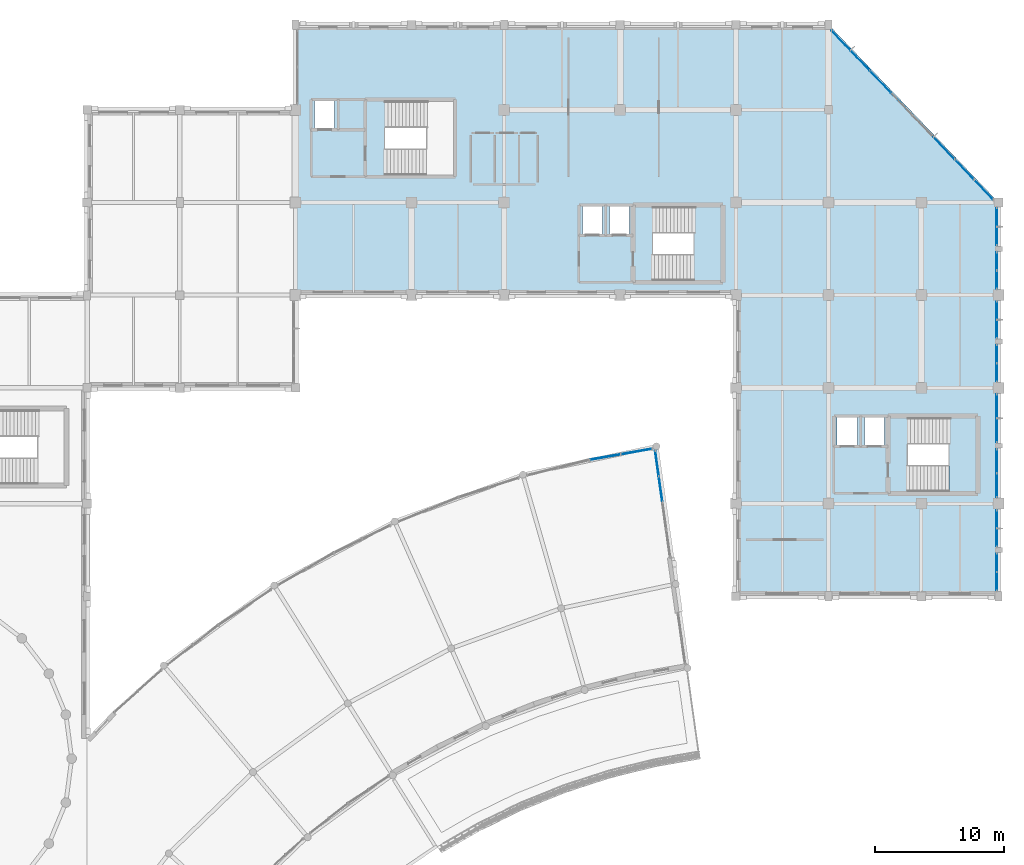
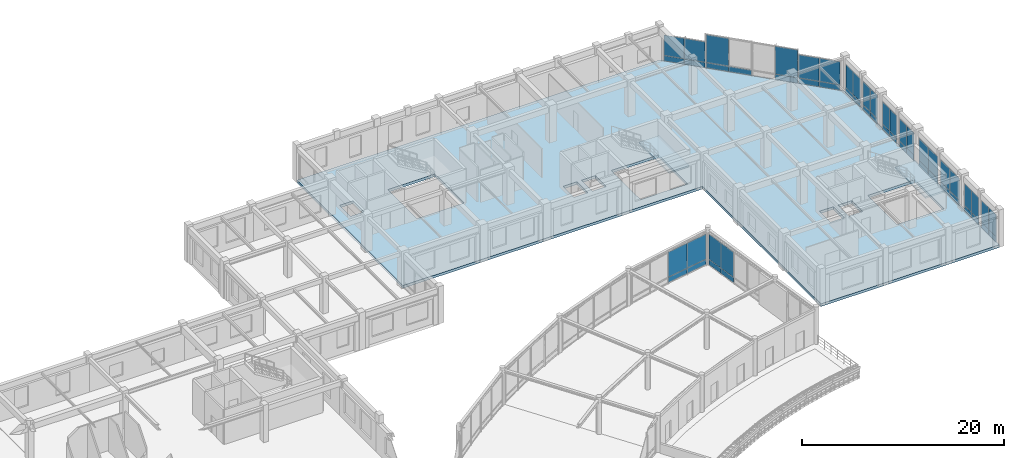
# One storey, part 34 of 62: 53 plates, 3 slabs, 16 elements without a shape of their own.
"""IFC4 building model written with IfcOpenShell, lengths in metres."""

import ifcopenshell
import ifcopenshell.guid

model = None  # the IFC model being written
_history = None  # IfcOwnerHistory: only IFC2X3 demands one
_inside = {}  # id of a spatial element -> (the spatial element, [elements in it])
_under = {}  # id of a project, library or spatial element -> (it, [spatial elements below it])
_declared = {}  # id of a project -> (the project, [libraries it declares])
_typed = {}  # id of a type object -> (the type object, [elements of that type])
_made_of = {}  # id of a material, layer set ... -> (it, [elements and type objects made of it])


def new_model(schema):
    """Start an empty IFC model of exactly this schema.

    Asked for "IFC4X3", IfcOpenShell would pick the latest addendum, in which some entities
    have other attributes; the version numbers below select the first issue.
    IFC2X3 requires an IfcOwnerHistory on every rooted entity: one is made here for all.
    """
    global model, _history
    if schema == "IFC4X3":
        model = ifcopenshell.file(schema_version=(4, 3, 0, 0))
    else:
        model = ifcopenshell.file(schema=schema)
    _inside.clear()
    _under.clear()
    _declared.clear()
    _typed.clear()
    _made_of.clear()
    _history = None
    if model.schema == "IFC2X3":
        org = make("IfcOrganization", Name="unknown")
        user = make(
            "IfcPersonAndOrganization",
            ThePerson=make("IfcPerson", FamilyName="unknown"),
            TheOrganization=org,
        )
        app = make(
            "IfcApplication",
            ApplicationDeveloper=org,
            Version="unknown",
            ApplicationFullName="unknown",
            ApplicationIdentifier="unknown",
        )
        _history = make(
            "IfcOwnerHistory",
            OwningUser=user,
            OwningApplication=app,
            ChangeAction="ADDED",
            CreationDate=0,
        )
    return model


def make(cls, **values):
    """One entity of the class cls with the attributes given. An attribute that is None is left unset."""
    return model.create_entity(
        cls, **{name: value for name, value in values.items() if value is not None}
    )


def rooted(cls, **values):
    """An entity with a GlobalId (a new one), such as an element, a storey or a relation."""
    return make(cls, GlobalId=ifcopenshell.guid.new(), OwnerHistory=_history, **values)


def si_unit(unit_type, name, prefix=None):
    """IfcSIUnit, for example si_unit("LENGTHUNIT", "METRE", prefix="MILLI")."""
    return make("IfcSIUnit", UnitType=unit_type, Prefix=prefix, Name=name)


def assignment(units):
    """IfcUnitAssignment: the units of a project."""
    return None if units is None else make("IfcUnitAssignment", Units=units)


def point(xyz):
    """IfcCartesianPoint."""
    return None if xyz is None else make("IfcCartesianPoint", Coordinates=xyz)


def direction(xyz):
    """IfcDirection."""
    return None if xyz is None else make("IfcDirection", DirectionRatios=xyz)


def frame(location, z_axis=None, x_axis=None):
    """IfcAxis2Placement3D, a coordinate frame: its origin and axes. An axis left out is left unset."""
    return make(
        "IfcAxis2Placement3D",
        Location=point(location),
        Axis=direction(z_axis),
        RefDirection=direction(x_axis),
    )


def frame_2d(location, x_axis=None):
    """IfcAxis2Placement2D, a coordinate frame in the plane: its origin and x axis."""
    return make(
        "IfcAxis2Placement2D", Location=point(location), RefDirection=direction(x_axis)
    )


def origin():
    """The frame at (0, 0, 0) with its axes left unset."""
    return frame((0.0, 0.0, 0.0))


def place(relative_to, where):
    """IfcLocalPlacement: puts the frame where relative to a parent placement (None: the world)."""
    return make(
        "IfcLocalPlacement", PlacementRelTo=relative_to, RelativePlacement=where
    )


def context(
    kind, dimensions, precision=None, world=None, true_north=None, identifier=None
):
    """IfcGeometricRepresentationContext, for example the 3D "Model" context."""
    return make(
        "IfcGeometricRepresentationContext",
        ContextIdentifier=identifier,
        ContextType=kind,
        CoordinateSpaceDimension=dimensions,
        Precision=precision,
        WorldCoordinateSystem=world,
        TrueNorth=true_north,
    )


def subcontext(parent, identifier, kind, view, scale=None):
    """IfcGeometricRepresentationSubContext, for example "Body" below "Model"."""
    return make(
        "IfcGeometricRepresentationSubContext",
        ContextIdentifier=identifier,
        ContextType=kind,
        ParentContext=parent,
        TargetScale=scale,
        TargetView=view,
    )


def project(units=None, contexts=None):
    """IfcProject with its units and contexts."""
    return rooted(
        "IfcProject",
        Name="project",
        RepresentationContexts=contexts,
        UnitsInContext=assignment(units),
    )


def spatial(cls, under=None, at=None, **own):
    """A site, building, storey or space (cls), placed at a placement, below another one or the project."""
    s = rooted(cls, ObjectPlacement=at, **own)
    if under is not None:
        _under.setdefault(under.id(), (under, []))[1].append(s)
    return s


def polyline(points):
    """IfcPolyline through the points."""
    return make("IfcPolyline", Points=[point(p) for p in points])


def profile(cls, at=None, kind="AREA", **sizes):
    """A parametric profile (cls). Its sizes go by their IFC names, for example OverallWidth=200.0."""
    return make(cls, ProfileType=kind, Position=at, **sizes)


def rectangle(**sizes):
    """IfcRectangleProfileDef."""
    return profile("IfcRectangleProfileDef", **sizes)


def outline(outer, holes=None, kind="AREA"):
    """IfcArbitraryClosedProfileDef: a profile drawn as a closed curve; with holes, ...WithVoids."""
    if holes is None:
        return make("IfcArbitraryClosedProfileDef", ProfileType=kind, OuterCurve=outer)
    return make(
        "IfcArbitraryProfileDefWithVoids",
        ProfileType=kind,
        OuterCurve=outer,
        InnerCurves=holes,
    )


def extrude(swept, where, along, depth):
    """IfcExtrudedAreaSolid: the profile swept, set in the frame where, extruded along a direction by depth."""
    return make(
        "IfcExtrudedAreaSolid",
        SweptArea=swept,
        Position=where,
        ExtrudedDirection=direction(along),
        Depth=depth,
    )


def shape(context_of_items, identifier, shape_type, items):
    """IfcShapeRepresentation: the items that make up one representation, for example the "Body"."""
    return make(
        "IfcShapeRepresentation",
        ContextOfItems=context_of_items,
        RepresentationIdentifier=identifier,
        RepresentationType=shape_type,
        Items=items,
    )


def material(Name=None, Category=None):
    """IfcMaterial."""
    return make("IfcMaterial", Name=Name, Category=Category)


def layer(
    of_material, thickness, ventilated=None, Name=None, Category=None, Priority=None
):
    """IfcMaterialLayer: one layer of a wall or slab, of a material (None: an air gap)."""
    return make(
        "IfcMaterialLayer",
        Material=of_material,
        LayerThickness=thickness,
        IsVentilated=ventilated,
        Name=Name,
        Category=Category,
        Priority=Priority,
    )


def layer_set(layers, Name=None):
    """IfcMaterialLayerSet."""
    return make("IfcMaterialLayerSet", MaterialLayers=layers, LayerSetName=Name)


def made_of(thing, what):
    """Note that an element or type object is made of a material, layer set ...; save() writes the relation."""
    if what is not None:
        _made_of.setdefault(what.id(), (what, []))[1].append(thing)
    return thing


def type_object(cls, material=None, **own):
    """A type object (cls), such as IfcWallType, which elements share."""
    return made_of(rooted(cls, **own), material)


def element(
    cls,
    number,
    at=None,
    inside=None,
    cuts=None,
    type_object=None,
    material=None,
    context=None,
    identifier="Body",
    shape_type=None,
    held_by="IfcProductDefinitionShape",
    body=None,
    shapes=None,
    **own,
):
    """One element of the class cls, such as IfcWall. Its Tag is "e" and its number.

    at: its placement. inside: the storey or other place that contains it. cuts: it is an
    opening in that element (IfcRelVoidsElement). A single representation is given by context,
    identifier, shape_type and body (its items); several are given by shapes. held_by: the class
    of the entity that holds the representations. save() writes the other relations.
    """
    e = rooted(cls, Tag="e%d" % number, ObjectPlacement=at, **own)
    if body is not None:
        shapes = [shape(context, identifier, shape_type, body)]
    if shapes is not None:
        e.Representation = make(held_by, Representations=shapes)
    if inside is not None:
        _inside.setdefault(inside.id(), (inside, []))[1].append(e)
    if cuts is not None:
        rooted(
            "IfcRelVoidsElement", RelatingBuildingElement=cuts, RelatedOpeningElement=e
        )
    if type_object is not None:
        _typed.setdefault(type_object.id(), (type_object, []))[1].append(e)
    return made_of(e, material)


def aggregate(whole, parts):
    """IfcRelAggregates: a whole, such as a stair, and the parts it consists of."""
    return rooted("IfcRelAggregates", RelatingObject=whole, RelatedObjects=parts)


def save(model, path):
    """Write the relations noted so far, then the file.

    IfcRelAggregates (storeys below a building ...), IfcRelContainedInSpatialStructure (elements
    in a storey), IfcRelDefinesByType, IfcRelAssociatesMaterial and IfcRelDeclares: one each for
    every whole, place, type object, material and project.
    """
    for whole, parts in _under.values():
        aggregate(whole, parts)
    for where, things in _inside.values():
        rooted(
            "IfcRelContainedInSpatialStructure",
            RelatedElements=things,
            RelatingStructure=where,
        )
    for kind, things in _typed.values():
        rooted("IfcRelDefinesByType", RelatedObjects=things, RelatingType=kind)
    for what, things in _made_of.values():
        rooted("IfcRelAssociatesMaterial", RelatedObjects=things, RelatingMaterial=what)
    for by, libraries in _declared.values():
        rooted("IfcRelDeclares", RelatingContext=by, RelatedDefinitions=libraries)
    model.write(path)


model = new_model("IFC4")

# Units and contexts
model_context = context("Model", 3, precision=1e-05, world=origin(), true_north=direction((0.0, 1.0)))
body_context = subcontext(model_context, "Body", "Model", "MODEL_VIEW")
ifc_project = project(units=[si_unit("LENGTHUNIT", "METRE"), si_unit("AREAUNIT", "SQUARE_METRE"), si_unit("VOLUMEUNIT", "CUBIC_METRE"), si_unit("PLANEANGLEUNIT", "RADIAN"), si_unit("MASSUNIT", "GRAM", prefix="KILO")], contexts=[model_context])

# Site, building, storey
site_placement = place(None, origin())
site = spatial("IfcSite", under=ifc_project, at=site_placement, CompositionType="ELEMENT")
building_placement = place(site_placement, origin())
building = spatial("IfcBuilding", under=site, at=building_placement, Name="Clarverna Civic Hall", CompositionType="ELEMENT")
storey_placement = place(building_placement, frame((0.0, 0.0, 5.10009765625)))
storey = spatial("IfcBuildingStorey", under=building, at=storey_placement, Name="L01", CompositionType="ELEMENT", Elevation=5.10009765625)

# Curtain wall, plates
ifc_material_1 = material(Name="Anodised Bronze Architectural Aluminium", Category="aluminium")
curtain_wall_type_1 = type_object("IfcCurtainWallType", Name="CW-01", PredefinedType="USERDEFINED", material=ifc_material_1)
curtain_wall_1_placement = place(storey_placement, origin())
curtain_wall_1 = element("IfcCurtainWall", 1, at=curtain_wall_1_placement, inside=storey, type_object=curtain_wall_type_1, Name="CW-01-002", ObjectType="UNITISED CURTAIN WALL", PredefinedType="USERDEFINED")
ifc_material_2 = material(Name="Solar-Control Argon Low-E Double Glazing", Category="glass")
ifc_layer_1 = layer(ifc_material_2, 0.031982421875)
ifc_layer_set_1 = layer_set([ifc_layer_1], Name="Solar-Control Argon Low-E Double Glazing")
plate_type_1 = type_object("IfcPlateType", Name="CWP-01", PredefinedType="CURTAIN_PANEL", material=ifc_layer_set_1)
plate_1_placement = place(storey_placement, frame((155.036376953125, 115.55029296875, 0.764892578125), z_axis=(0.0, 0.0, 1.0), x_axis=(0.691148870064, -0.722712418193, 0.0)))
plate_1 = element("IfcPlate", 2, at=plate_1_placement, type_object=plate_type_1, Name="CWP-01-105", PredefinedType="CURTAIN_PANEL", context=body_context, shape_type="SweptSolid", body=[
    extrude(rectangle(XDim=2.10400390625, YDim=0.031982421875, at=frame_2d((1.052001953125, 0.0))), origin(), (0.0, 0.0, 1.0), 2.445068359375),
])
plate_2_placement = place(storey_placement, frame((156.511474609375, 114.00830078125, 0.764892578125), z_axis=(0.0, 0.0, 1.0), x_axis=(0.691148870064, -0.722712418193, 0.0)))
plate_2 = element("IfcPlate", 3, at=plate_2_placement, type_object=plate_type_1, Name="CWP-01-106", PredefinedType="CURTAIN_PANEL", context=body_context, shape_type="SweptSolid", body=[
    extrude(rectangle(XDim=2.10400390625, YDim=0.031982421875, at=frame_2d((1.052001953125, 0.0))), origin(), (0.0, 0.0, 1.0), 2.445068359375),
])

# Curtain wall, plate
curtain_wall_2_placement = place(storey_placement, origin())
curtain_wall_2 = element("IfcCurtainWall", 4, at=curtain_wall_2_placement, inside=storey, type_object=curtain_wall_type_1, Name="CW-01-003", ObjectType="UNITISED CURTAIN WALL", PredefinedType="USERDEFINED")
plate_3_placement = place(storey_placement, frame((158.031982421875, 112.418701171875, 0.764892578125), z_axis=(0.0, 0.0, 1.0), x_axis=(0.691174945329, -0.722687480831, 0.0)))
plate_3 = element("IfcPlate", 5, at=plate_3_placement, type_object=plate_type_1, Name="CWP-01-107", PredefinedType="CURTAIN_PANEL", context=body_context, shape_type="SweptSolid", body=[
    extrude(rectangle(XDim=2.32421875, YDim=0.031982421875, at=frame_2d((1.162109375, 0.0))), origin(), (0.0, 0.0, 1.0), 3.344970703125),
])

curtain_wall_3_placement = place(storey_placement, origin())
curtain_wall_3 = element("IfcCurtainWall", 6, at=curtain_wall_3_placement, inside=storey, type_object=curtain_wall_type_1, Name="CW-01-004", ObjectType="UNITISED CURTAIN WALL", PredefinedType="USERDEFINED")
plate_4_placement = place(storey_placement, frame((162.959228515625, 107.267333984375, 0.764892578125), z_axis=(0.0, 0.0, 1.0), x_axis=(0.691227416228, -0.72263729426, 0.0)))
plate_4 = element("IfcPlate", 7, at=plate_4_placement, type_object=plate_type_1, Name="CWP-01-110", PredefinedType="CURTAIN_PANEL", context=body_context, shape_type="SweptSolid", body=[
    extrude(rectangle(XDim=2.323974609375, YDim=0.031982421875, at=frame_2d((1.162109375, 0.0))), origin(), (0.0, 0.0, 1.0), 3.344970703125),
])

# Curtain wall, plates
curtain_wall_4_placement = place(storey_placement, origin())
curtain_wall_4 = element("IfcCurtainWall", 8, at=curtain_wall_4_placement, inside=storey, type_object=curtain_wall_type_1, Name="CW-01-005", ObjectType="UNITISED CURTAIN WALL", PredefinedType="USERDEFINED")
plate_5_placement = place(storey_placement, frame((164.632080078125, 105.5185546875, 0.764892578125), z_axis=(0.0, 0.0, 1.0), x_axis=(0.691175471068, -0.722686978016, 0.0)))
plate_5 = element("IfcPlate", 9, at=plate_5_placement, type_object=plate_type_1, Name="CWP-01-111", PredefinedType="CURTAIN_PANEL", context=body_context, shape_type="SweptSolid", body=[
    extrude(rectangle(XDim=2.115234375, YDim=0.031982421875, at=frame_2d((1.0576171875, 0.0))), origin(), (0.0, 0.0, 1.0), 2.784912109375),
])
plate_6_placement = place(storey_placement, frame((166.11474609375, 103.96826171875, 0.764892578125), z_axis=(0.0, 0.0, 1.0), x_axis=(0.691235748538, -0.722629324027, 0.0)))
plate_6 = element("IfcPlate", 10, at=plate_6_placement, type_object=plate_type_1, Name="CWP-01-112", PredefinedType="CURTAIN_PANEL", context=body_context, shape_type="SweptSolid", body=[
    extrude(rectangle(XDim=2.115234375, YDim=0.031982421875, at=frame_2d((1.0576171875, 0.0))), origin(), (0.0, 0.0, 1.0), 2.784912109375),
])

curtain_wall_5_placement = place(storey_placement, origin())
curtain_wall_5 = element("IfcCurtainWall", 11, at=curtain_wall_5_placement, inside=storey, type_object=curtain_wall_type_1, Name="CW-01-006", ObjectType="UNITISED CURTAIN WALL", PredefinedType="USERDEFINED")
plate_7_placement = place(storey_placement, frame((167.860107421875, 101.761962890625, 0.764892578125), z_axis=(0.0, 0.0, 1.0), x_axis=(0.0, -1.0, 0.0)))
plate_7 = element("IfcPlate", 12, at=plate_7_placement, type_object=plate_type_1, Name="CWP-01-113", PredefinedType="CURTAIN_PANEL", context=body_context, shape_type="SweptSolid", body=[
    extrude(rectangle(XDim=1.427001953125, YDim=0.031982421875, at=frame_2d((0.71337890625, 0.0))), origin(), (0.0, 0.0, 1.0), 2.784912109375),
])
plate_8_placement = place(storey_placement, frame((167.860107421875, 100.304931640625, 0.764892578125), z_axis=(0.0, 0.0, 1.0), x_axis=(0.0, -1.0, 0.0)))
plate_8 = element("IfcPlate", 13, at=plate_8_placement, type_object=plate_type_1, Name="CWP-01-114", PredefinedType="CURTAIN_PANEL", context=body_context, shape_type="SweptSolid", body=[
    extrude(rectangle(XDim=1.427001953125, YDim=0.031982421875, at=frame_2d((0.71337890625, 0.0))), origin(), (0.0, 0.0, 1.0), 2.784912109375),
])

curtain_wall_6_placement = place(storey_placement, origin())
curtain_wall_6 = element("IfcCurtainWall", 14, at=curtain_wall_6_placement, inside=storey, type_object=curtain_wall_type_1, Name="CW-01-007", ObjectType="UNITISED CURTAIN WALL", PredefinedType="USERDEFINED")
plate_9_placement = place(storey_placement, frame((167.860107421875, 98.322021484375, 0.764892578125), z_axis=(0.0, 0.0, 1.0), x_axis=(0.0, -1.0, 0.0)))
plate_9 = element("IfcPlate", 15, at=plate_9_placement, type_object=plate_type_1, Name="CWP-01-115", PredefinedType="CURTAIN_PANEL", context=body_context, shape_type="SweptSolid", body=[
    extrude(rectangle(XDim=1.389404296875, YDim=0.031982421875, at=frame_2d((0.69482421875, 0.0))), origin(), (0.0, 0.0, 1.0), 2.784912109375),
])
plate_10_placement = place(storey_placement, frame((167.860107421875, 96.902587890625, 0.764892578125), z_axis=(0.0, 0.0, 1.0), x_axis=(0.0, -1.0, 0.0)))
plate_10 = element("IfcPlate", 16, at=plate_10_placement, type_object=plate_type_1, Name="CWP-01-116", PredefinedType="CURTAIN_PANEL", context=body_context, shape_type="SweptSolid", body=[
    extrude(rectangle(XDim=1.3896484375, YDim=0.031982421875, at=frame_2d((0.69482421875, 0.0))), origin(), (0.0, 0.0, 1.0), 2.784912109375),
])

curtain_wall_7_placement = place(storey_placement, origin())
curtain_wall_7 = element("IfcCurtainWall", 17, at=curtain_wall_7_placement, inside=storey, type_object=curtain_wall_type_1, Name="CW-01-008", ObjectType="UNITISED CURTAIN WALL", PredefinedType="USERDEFINED")
plate_11_placement = place(storey_placement, frame((167.860107421875, 94.487060546875, 0.764892578125), z_axis=(0.0, 0.0, 1.0), x_axis=(0.0, -1.0, 0.0)))
plate_11 = element("IfcPlate", 18, at=plate_11_placement, type_object=plate_type_1, Name="CWP-01-117", PredefinedType="CURTAIN_PANEL", context=body_context, shape_type="SweptSolid", body=[
    extrude(rectangle(XDim=1.3896484375, YDim=0.031982421875, at=frame_2d((0.69482421875, 0.0))), origin(), (0.0, 0.0, 1.0), 2.6650390625),
])
plate_12_placement = place(storey_placement, frame((167.860107421875, 93.0673828125, 0.764892578125), z_axis=(0.0, 0.0, 1.0), x_axis=(0.0, -1.0, 0.0)))
plate_12 = element("IfcPlate", 19, at=plate_12_placement, type_object=plate_type_1, Name="CWP-01-118", PredefinedType="CURTAIN_PANEL", context=body_context, shape_type="SweptSolid", body=[
    extrude(rectangle(XDim=1.389404296875, YDim=0.031982421875, at=frame_2d((0.69482421875, 0.0))), origin(), (0.0, 0.0, 1.0), 2.6650390625),
])

curtain_wall_8_placement = place(storey_placement, origin())
curtain_wall_8 = element("IfcCurtainWall", 20, at=curtain_wall_8_placement, inside=storey, type_object=curtain_wall_type_1, Name="CW-01-009", ObjectType="UNITISED CURTAIN WALL", PredefinedType="USERDEFINED")
plate_13_placement = place(storey_placement, frame((167.860107421875, 91.1220703125, 0.764892578125), z_axis=(0.0, 0.0, 1.0), x_axis=(0.0, -1.0, 0.0)))
plate_13 = element("IfcPlate", 21, at=plate_13_placement, type_object=plate_type_1, Name="CWP-01-119", PredefinedType="CURTAIN_PANEL", context=body_context, shape_type="SweptSolid", body=[
    extrude(rectangle(XDim=1.3896484375, YDim=0.031982421875, at=frame_2d((0.69482421875, 0.0))), origin(), (0.0, 0.0, 1.0), 2.6650390625),
])
plate_14_placement = place(storey_placement, frame((167.860107421875, 89.702392578125, 0.764892578125), z_axis=(0.0, 0.0, 1.0), x_axis=(0.0, -1.0, 0.0)))
plate_14 = element("IfcPlate", 22, at=plate_14_placement, type_object=plate_type_1, Name="CWP-01-120", PredefinedType="CURTAIN_PANEL", context=body_context, shape_type="SweptSolid", body=[
    extrude(rectangle(XDim=1.389404296875, YDim=0.031982421875, at=frame_2d((0.69482421875, 0.0))), origin(), (0.0, 0.0, 1.0), 2.6650390625),
])

curtain_wall_9_placement = place(storey_placement, origin())
curtain_wall_9 = element("IfcCurtainWall", 23, at=curtain_wall_9_placement, inside=storey, type_object=curtain_wall_type_1, Name="CW-01-010", ObjectType="UNITISED CURTAIN WALL", PredefinedType="USERDEFINED")
plate_15_placement = place(storey_placement, frame((167.860107421875, 87.287109375, 0.764892578125), z_axis=(0.0, 0.0, 1.0), x_axis=(0.0, -1.0, 0.0)))
plate_15 = element("IfcPlate", 24, at=plate_15_placement, type_object=plate_type_1, Name="CWP-01-121", PredefinedType="CURTAIN_PANEL", context=body_context, shape_type="SweptSolid", body=[
    extrude(rectangle(XDim=1.839599609375, YDim=0.031982421875, at=frame_2d((0.919921875, 0.0))), origin(), (0.0, 0.0, 1.0), 2.625),
])
plate_16_placement = place(storey_placement, frame((167.860107421875, 85.41748046875, 0.764892578125), z_axis=(0.0, 0.0, 1.0), x_axis=(0.0, -1.0, 0.0)))
plate_16 = element("IfcPlate", 25, at=plate_16_placement, type_object=plate_type_1, Name="CWP-01-122", PredefinedType="CURTAIN_PANEL", context=body_context, shape_type="SweptSolid", body=[
    extrude(rectangle(XDim=1.839599609375, YDim=0.031982421875, at=frame_2d((0.919921875, 0.0))), origin(), (0.0, 0.0, 1.0), 2.625),
])

curtain_wall_10_placement = place(storey_placement, origin())
curtain_wall_10 = element("IfcCurtainWall", 26, at=curtain_wall_10_placement, inside=storey, type_object=curtain_wall_type_1, Name="CW-01-011", ObjectType="UNITISED CURTAIN WALL", PredefinedType="USERDEFINED")
plate_17_placement = place(storey_placement, frame((167.860107421875, 83.02197265625, 0.764892578125), z_axis=(0.0, 0.0, 1.0), x_axis=(0.0, -1.0, 0.0)))
plate_17 = element("IfcPlate", 27, at=plate_17_placement, type_object=plate_type_1, Name="CWP-01-123", PredefinedType="CURTAIN_PANEL", context=body_context, shape_type="SweptSolid", body=[
    extrude(rectangle(XDim=1.83935546875, YDim=0.031982421875, at=frame_2d((0.919677734375, 0.0))), origin(), (0.0, 0.0, 1.0), 2.625),
])
plate_18_placement = place(storey_placement, frame((167.860107421875, 81.152587890625, 0.764892578125), z_axis=(0.0, 0.0, 1.0), x_axis=(0.0, -1.0, 0.0)))
plate_18 = element("IfcPlate", 28, at=plate_18_placement, type_object=plate_type_1, Name="CWP-01-124", PredefinedType="CURTAIN_PANEL", context=body_context, shape_type="SweptSolid", body=[
    extrude(rectangle(XDim=1.839599609375, YDim=0.031982421875, at=frame_2d((0.919921875, 0.0))), origin(), (0.0, 0.0, 1.0), 2.625),
])

curtain_wall_11_placement = place(storey_placement, origin())
curtain_wall_11 = element("IfcCurtainWall", 29, at=curtain_wall_11_placement, inside=storey, type_object=curtain_wall_type_1, Name="CW-01-012", ObjectType="UNITISED CURTAIN WALL", PredefinedType="USERDEFINED")
plate_19_placement = place(storey_placement, frame((167.860107421875, 78.287109375, 0.764892578125), z_axis=(0.0, 0.0, 1.0), x_axis=(0.0, -1.0, 0.0)))
plate_19 = element("IfcPlate", 30, at=plate_19_placement, type_object=plate_type_1, Name="CWP-01-125", PredefinedType="CURTAIN_PANEL", context=body_context, shape_type="SweptSolid", body=[
    extrude(rectangle(XDim=1.3896484375, YDim=0.031982421875, at=frame_2d((0.69482421875, 0.0))), origin(), (0.0, 0.0, 1.0), 2.625),
])
plate_20_placement = place(storey_placement, frame((167.860107421875, 76.867431640625, 0.764892578125), z_axis=(0.0, 0.0, 1.0), x_axis=(0.0, -1.0, 0.0)))
plate_20 = element("IfcPlate", 31, at=plate_20_placement, type_object=plate_type_1, Name="CWP-01-126", PredefinedType="CURTAIN_PANEL", context=body_context, shape_type="SweptSolid", body=[
    extrude(rectangle(XDim=1.389404296875, YDim=0.031982421875, at=frame_2d((0.69482421875, 0.0))), origin(), (0.0, 0.0, 1.0), 2.625),
])

curtain_wall_12_placement = place(storey_placement, origin())
curtain_wall_12 = element("IfcCurtainWall", 32, at=curtain_wall_12_placement, inside=storey, type_object=curtain_wall_type_1, Name="CW-01-013", ObjectType="UNITISED CURTAIN WALL", PredefinedType="USERDEFINED")
plate_21_placement = place(storey_placement, frame((167.860107421875, 74.922119140625, 0.764892578125), z_axis=(0.0, 0.0, 1.0), x_axis=(0.0, -1.0, 0.0)))
plate_21 = element("IfcPlate", 33, at=plate_21_placement, type_object=plate_type_1, Name="CWP-01-127", PredefinedType="CURTAIN_PANEL", context=body_context, shape_type="SweptSolid", body=[
    extrude(rectangle(XDim=1.41455078125, YDim=0.031982421875, at=frame_2d((0.707275390625, 0.0))), origin(), (0.0, 0.0, 1.0), 2.625),
])
plate_22_placement = place(storey_placement, frame((167.860107421875, 73.4775390625, 0.764892578125), z_axis=(0.0, 0.0, 1.0), x_axis=(0.0, -1.0, 0.0)))
plate_22 = element("IfcPlate", 34, at=plate_22_placement, type_object=plate_type_1, Name="CWP-01-128", PredefinedType="CURTAIN_PANEL", context=body_context, shape_type="SweptSolid", body=[
    extrude(rectangle(XDim=1.41455078125, YDim=0.031982421875, at=frame_2d((0.707275390625, 0.0))), origin(), (0.0, 0.0, 1.0), 2.625),
])

curtain_wall_type_2 = type_object("IfcCurtainWallType", Name="CW-03", PredefinedType="USERDEFINED", material=ifc_material_1)
curtain_wall_13_placement = place(storey_placement, origin())
curtain_wall_13 = element("IfcCurtainWall", 35, at=curtain_wall_13_placement, inside=storey, type_object=curtain_wall_type_2, Name="CW-03-035", ObjectType="UNITISED CURTAIN WALL", PredefinedType="USERDEFINED")
plate_23_placement = place(storey_placement, frame((136.270263671875, 82.209716796875, 0.764892578125), z_axis=(0.0, 0.0, 1.0), x_axis=(0.98481100125, 0.17362975499, 0.0)))
plate_23 = element("IfcPlate", 36, at=plate_23_placement, type_object=plate_type_1, Name="CWP-01-148", PredefinedType="CURTAIN_PANEL", context=body_context, shape_type="SweptSolid", body=[
    extrude(rectangle(XDim=2.4169921875, YDim=0.031982421875, at=frame_2d((1.20849609375, 0.0))), origin(), (0.0, 0.0, 1.0), 3.014892578125),
])
plate_24_placement = place(storey_placement, frame((138.68017578125, 82.634521484375, 0.764892578125), z_axis=(0.0, 0.0, 1.0), x_axis=(0.984793725369, 0.173727713604, 0.0)))
plate_24 = element("IfcPlate", 37, at=plate_24_placement, type_object=plate_type_1, Name="CWP-01-149", PredefinedType="CURTAIN_PANEL", context=body_context, shape_type="SweptSolid", body=[
    extrude(rectangle(XDim=2.417236328125, YDim=0.031982421875, at=frame_2d((1.20849609375, 0.0))), origin(), (0.0, 0.0, 1.0), 3.014892578125),
])

curtain_wall_14_placement = place(storey_placement, origin())
curtain_wall_14 = element("IfcCurtainWall", 38, at=curtain_wall_14_placement, inside=storey, type_object=curtain_wall_type_2, Name="CW-03-036", ObjectType="UNITISED CURTAIN WALL", PredefinedType="USERDEFINED")
plate_25_placement = place(storey_placement, frame((141.33251953125, 82.897705078125, 0.764892578125), z_axis=(0.0, 0.0, 1.0), x_axis=(0.139191936508, -0.990265421395, 0.0)))
plate_25 = element("IfcPlate", 39, at=plate_25_placement, type_object=plate_type_1, Name="CWP-01-150", PredefinedType="CURTAIN_PANEL", context=body_context, shape_type="SweptSolid", body=[
    extrude(rectangle(XDim=1.962646484375, YDim=0.031982421875, at=frame_2d((0.9814453125, 0.0))), origin(), (0.0, 0.0, 1.0), 3.014892578125),
])
plate_26_placement = place(storey_placement, frame((141.609619140625, 80.92431640625, 0.764892578125), z_axis=(0.0, 0.0, 1.0), x_axis=(0.139191936508, -0.990265421395, 0.0)))
plate_26 = element("IfcPlate", 40, at=plate_26_placement, type_object=plate_type_1, Name="CWP-01-151", PredefinedType="CURTAIN_PANEL", context=body_context, shape_type="SweptSolid", body=[
    extrude(rectangle(XDim=1.962646484375, YDim=0.031982421875, at=frame_2d((0.9814453125, 0.0))), origin(), (0.0, 0.0, 1.0), 3.014892578125),
])

# Plate
ifc_material_3 = material(Name="Insulated Anodised Bronze Spandrel Panel", Category="aluminium")
ifc_layer_2 = layer(ifc_material_3, 0.048095703125)
ifc_layer_set_2 = layer_set([ifc_layer_2], Name="Insulated Anodised Bronze Spandrel Panel")
plate_type_2 = type_object("IfcPlateType", Name="CWP-03", PredefinedType="CURTAIN_PANEL", material=ifc_layer_set_2)
plate_27_placement = place(storey_placement, frame((155.036376953125, 115.55029296875, 0.10986328125), z_axis=(0.0, 0.0, 1.0), x_axis=(0.691148870064, -0.722712418193, 0.0)))
plate_27 = element("IfcPlate", 41, at=plate_27_placement, type_object=plate_type_2, Name="CWP-03-107", PredefinedType="CURTAIN_PANEL", context=body_context, shape_type="SweptSolid", body=[
    extrude(rectangle(XDim=2.10400390625, YDim=0.048095703125, at=frame_2d((1.052001953125, 0.0))), origin(), (0.0, 0.0, 1.0), 0.625),
])

plate_28_placement = place(storey_placement, frame((156.511474609375, 114.00830078125, 0.10986328125), z_axis=(0.0, 0.0, 1.0), x_axis=(0.691148870064, -0.722712418193, 0.0)))
plate_28 = element("IfcPlate", 42, at=plate_28_placement, type_object=plate_type_2, Name="CWP-03-108", PredefinedType="CURTAIN_PANEL", context=body_context, shape_type="SweptSolid", body=[
    extrude(rectangle(XDim=2.10400390625, YDim=0.048095703125, at=frame_2d((1.052001953125, 0.0))), origin(), (0.0, 0.0, 1.0), 0.625),
])

aggregate(curtain_wall_1, [plate_27, plate_1, plate_28, plate_2])

plate_29_placement = place(storey_placement, frame((158.031982421875, 112.418701171875, 0.10986328125), z_axis=(0.0, 0.0, 1.0), x_axis=(0.691174945329, -0.722687480831, 0.0)))
plate_29 = element("IfcPlate", 43, at=plate_29_placement, type_object=plate_type_2, Name="CWP-03-109", PredefinedType="CURTAIN_PANEL", context=body_context, shape_type="SweptSolid", body=[
    extrude(rectangle(XDim=2.32421875, YDim=0.048095703125, at=frame_2d((1.162109375, 0.0))), origin(), (0.0, 0.0, 1.0), 0.625),
])

plate_30_placement = place(storey_placement, frame((159.6591796875, 110.71728515625, 0.10986328125), z_axis=(0.0, 0.0, 1.0), x_axis=(0.691227416228, -0.72263729426, 0.0)))
plate_30 = element("IfcPlate", 44, at=plate_30_placement, type_object=plate_type_2, Name="CWP-03-110", PredefinedType="CURTAIN_PANEL", context=body_context, shape_type="SweptSolid", body=[
    extrude(rectangle(XDim=2.323974609375, YDim=0.048095703125, at=frame_2d((1.162109375, 0.0))), origin(), (0.0, 0.0, 1.0), 0.625),
])

aggregate(curtain_wall_2, [plate_29, plate_3, plate_30])

plate_31_placement = place(storey_placement, frame((162.959228515625, 107.267333984375, 0.10986328125), z_axis=(0.0, 0.0, 1.0), x_axis=(0.691227416228, -0.72263729426, 0.0)))
plate_31 = element("IfcPlate", 45, at=plate_31_placement, type_object=plate_type_2, Name="CWP-03-112", PredefinedType="CURTAIN_PANEL", context=body_context, shape_type="SweptSolid", body=[
    extrude(rectangle(XDim=2.323974609375, YDim=0.048095703125, at=frame_2d((1.162109375, 0.0))), origin(), (0.0, 0.0, 1.0), 0.625),
])

aggregate(curtain_wall_3, [plate_31, plate_4])

plate_32_placement = place(storey_placement, frame((164.632080078125, 105.5185546875, 0.10986328125), z_axis=(0.0, 0.0, 1.0), x_axis=(0.691175471068, -0.722686978016, 0.0)))
plate_32 = element("IfcPlate", 46, at=plate_32_placement, type_object=plate_type_2, Name="CWP-03-113", PredefinedType="CURTAIN_PANEL", context=body_context, shape_type="SweptSolid", body=[
    extrude(rectangle(XDim=2.115234375, YDim=0.048095703125, at=frame_2d((1.0576171875, 0.0))), origin(), (0.0, 0.0, 1.0), 0.625),
])

plate_33_placement = place(storey_placement, frame((166.11474609375, 103.96826171875, 0.10986328125), z_axis=(0.0, 0.0, 1.0), x_axis=(0.691235748538, -0.722629324027, 0.0)))
plate_33 = element("IfcPlate", 47, at=plate_33_placement, type_object=plate_type_2, Name="CWP-03-114", PredefinedType="CURTAIN_PANEL", context=body_context, shape_type="SweptSolid", body=[
    extrude(rectangle(XDim=2.115234375, YDim=0.048095703125, at=frame_2d((1.0576171875, 0.0))), origin(), (0.0, 0.0, 1.0), 0.625),
])

aggregate(curtain_wall_4, [plate_32, plate_5, plate_33, plate_6])

plate_34_placement = place(storey_placement, frame((167.860107421875, 101.761962890625, 0.10986328125), z_axis=(0.0, 0.0, 1.0), x_axis=(0.0, -1.0, 0.0)))
plate_34 = element("IfcPlate", 48, at=plate_34_placement, type_object=plate_type_2, Name="CWP-03-115", PredefinedType="CURTAIN_PANEL", context=body_context, shape_type="SweptSolid", body=[
    extrude(rectangle(XDim=1.427001953125, YDim=0.048095703125, at=frame_2d((0.71337890625, 0.0))), origin(), (0.0, 0.0, 1.0), 0.625),
])

plate_35_placement = place(storey_placement, frame((167.860107421875, 100.304931640625, 0.10986328125), z_axis=(0.0, 0.0, 1.0), x_axis=(0.0, -1.0, 0.0)))
plate_35 = element("IfcPlate", 49, at=plate_35_placement, type_object=plate_type_2, Name="CWP-03-116", PredefinedType="CURTAIN_PANEL", context=body_context, shape_type="SweptSolid", body=[
    extrude(rectangle(XDim=1.427001953125, YDim=0.048095703125, at=frame_2d((0.71337890625, 0.0))), origin(), (0.0, 0.0, 1.0), 0.625),
])

aggregate(curtain_wall_5, [plate_34, plate_7, plate_35, plate_8])

plate_36_placement = place(storey_placement, frame((167.860107421875, 98.322021484375, 0.10986328125), z_axis=(0.0, 0.0, 1.0), x_axis=(0.0, -1.0, 0.0)))
plate_36 = element("IfcPlate", 50, at=plate_36_placement, type_object=plate_type_2, Name="CWP-03-117", PredefinedType="CURTAIN_PANEL", context=body_context, shape_type="SweptSolid", body=[
    extrude(rectangle(XDim=1.389404296875, YDim=0.048095703125, at=frame_2d((0.69482421875, 0.0))), origin(), (0.0, 0.0, 1.0), 0.625),
])

plate_37_placement = place(storey_placement, frame((167.860107421875, 96.902587890625, 0.10986328125), z_axis=(0.0, 0.0, 1.0), x_axis=(0.0, -1.0, 0.0)))
plate_37 = element("IfcPlate", 51, at=plate_37_placement, type_object=plate_type_2, Name="CWP-03-118", PredefinedType="CURTAIN_PANEL", context=body_context, shape_type="SweptSolid", body=[
    extrude(rectangle(XDim=1.3896484375, YDim=0.048095703125, at=frame_2d((0.69482421875, 0.0))), origin(), (0.0, 0.0, 1.0), 0.625),
])

aggregate(curtain_wall_6, [plate_36, plate_9, plate_37, plate_10])

plate_38_placement = place(storey_placement, frame((167.860107421875, 94.487060546875, 0.10986328125), z_axis=(0.0, 0.0, 1.0), x_axis=(0.0, -1.0, 0.0)))
plate_38 = element("IfcPlate", 52, at=plate_38_placement, type_object=plate_type_2, Name="CWP-03-119", PredefinedType="CURTAIN_PANEL", context=body_context, shape_type="SweptSolid", body=[
    extrude(rectangle(XDim=1.3896484375, YDim=0.048095703125, at=frame_2d((0.69482421875, 0.0))), origin(), (0.0, 0.0, 1.0), 0.625),
])

plate_39_placement = place(storey_placement, frame((167.860107421875, 93.0673828125, 0.10986328125), z_axis=(0.0, 0.0, 1.0), x_axis=(0.0, -1.0, 0.0)))
plate_39 = element("IfcPlate", 53, at=plate_39_placement, type_object=plate_type_2, Name="CWP-03-120", PredefinedType="CURTAIN_PANEL", context=body_context, shape_type="SweptSolid", body=[
    extrude(rectangle(XDim=1.389404296875, YDim=0.048095703125, at=frame_2d((0.69482421875, 0.0))), origin(), (0.0, 0.0, 1.0), 0.625),
])

aggregate(curtain_wall_7, [plate_38, plate_11, plate_39, plate_12])

plate_40_placement = place(storey_placement, frame((167.860107421875, 91.1220703125, 0.10986328125), z_axis=(0.0, 0.0, 1.0), x_axis=(0.0, -1.0, 0.0)))
plate_40 = element("IfcPlate", 54, at=plate_40_placement, type_object=plate_type_2, Name="CWP-03-121", PredefinedType="CURTAIN_PANEL", context=body_context, shape_type="SweptSolid", body=[
    extrude(rectangle(XDim=1.3896484375, YDim=0.048095703125, at=frame_2d((0.69482421875, 0.0))), origin(), (0.0, 0.0, 1.0), 0.625),
])

plate_41_placement = place(storey_placement, frame((167.860107421875, 89.702392578125, 0.10986328125), z_axis=(0.0, 0.0, 1.0), x_axis=(0.0, -1.0, 0.0)))
plate_41 = element("IfcPlate", 55, at=plate_41_placement, type_object=plate_type_2, Name="CWP-03-122", PredefinedType="CURTAIN_PANEL", context=body_context, shape_type="SweptSolid", body=[
    extrude(rectangle(XDim=1.389404296875, YDim=0.048095703125, at=frame_2d((0.69482421875, 0.0))), origin(), (0.0, 0.0, 1.0), 0.625),
])

aggregate(curtain_wall_8, [plate_40, plate_13, plate_41, plate_14])

plate_42_placement = place(storey_placement, frame((167.860107421875, 87.287109375, 0.10986328125), z_axis=(0.0, 0.0, 1.0), x_axis=(0.0, -1.0, 0.0)))
plate_42 = element("IfcPlate", 56, at=plate_42_placement, type_object=plate_type_2, Name="CWP-03-123", PredefinedType="CURTAIN_PANEL", context=body_context, shape_type="SweptSolid", body=[
    extrude(rectangle(XDim=1.839599609375, YDim=0.048095703125, at=frame_2d((0.919921875, 0.0))), origin(), (0.0, 0.0, 1.0), 0.625),
])

plate_43_placement = place(storey_placement, frame((167.860107421875, 85.41748046875, 0.10986328125), z_axis=(0.0, 0.0, 1.0), x_axis=(0.0, -1.0, 0.0)))
plate_43 = element("IfcPlate", 57, at=plate_43_placement, type_object=plate_type_2, Name="CWP-03-124", PredefinedType="CURTAIN_PANEL", context=body_context, shape_type="SweptSolid", body=[
    extrude(rectangle(XDim=1.839599609375, YDim=0.048095703125, at=frame_2d((0.919921875, 0.0))), origin(), (0.0, 0.0, 1.0), 0.625),
])

aggregate(curtain_wall_9, [plate_42, plate_15, plate_43, plate_16])

plate_44_placement = place(storey_placement, frame((167.860107421875, 83.02197265625, 0.10986328125), z_axis=(0.0, 0.0, 1.0), x_axis=(0.0, -1.0, 0.0)))
plate_44 = element("IfcPlate", 58, at=plate_44_placement, type_object=plate_type_2, Name="CWP-03-125", PredefinedType="CURTAIN_PANEL", context=body_context, shape_type="SweptSolid", body=[
    extrude(rectangle(XDim=1.83935546875, YDim=0.048095703125, at=frame_2d((0.919677734375, 0.0))), origin(), (0.0, 0.0, 1.0), 0.625),
])

plate_45_placement = place(storey_placement, frame((167.860107421875, 81.152587890625, 0.10986328125), z_axis=(0.0, 0.0, 1.0), x_axis=(0.0, -1.0, 0.0)))
plate_45 = element("IfcPlate", 59, at=plate_45_placement, type_object=plate_type_2, Name="CWP-03-126", PredefinedType="CURTAIN_PANEL", context=body_context, shape_type="SweptSolid", body=[
    extrude(rectangle(XDim=1.839599609375, YDim=0.048095703125, at=frame_2d((0.919921875, 0.0))), origin(), (0.0, 0.0, 1.0), 0.625),
])

aggregate(curtain_wall_10, [plate_44, plate_17, plate_45, plate_18])

plate_46_placement = place(storey_placement, frame((167.860107421875, 78.287109375, 0.10986328125), z_axis=(0.0, 0.0, 1.0), x_axis=(0.0, -1.0, 0.0)))
plate_46 = element("IfcPlate", 60, at=plate_46_placement, type_object=plate_type_2, Name="CWP-03-127", PredefinedType="CURTAIN_PANEL", context=body_context, shape_type="SweptSolid", body=[
    extrude(rectangle(XDim=1.3896484375, YDim=0.048095703125, at=frame_2d((0.69482421875, 0.0))), origin(), (0.0, 0.0, 1.0), 0.625),
])

plate_47_placement = place(storey_placement, frame((167.860107421875, 76.867431640625, 0.10986328125), z_axis=(0.0, 0.0, 1.0), x_axis=(0.0, -1.0, 0.0)))
plate_47 = element("IfcPlate", 61, at=plate_47_placement, type_object=plate_type_2, Name="CWP-03-128", PredefinedType="CURTAIN_PANEL", context=body_context, shape_type="SweptSolid", body=[
    extrude(rectangle(XDim=1.389404296875, YDim=0.048095703125, at=frame_2d((0.69482421875, 0.0))), origin(), (0.0, 0.0, 1.0), 0.625),
])

aggregate(curtain_wall_11, [plate_46, plate_19, plate_47, plate_20])

plate_48_placement = place(storey_placement, frame((167.860107421875, 74.922119140625, 0.10986328125), z_axis=(0.0, 0.0, 1.0), x_axis=(0.0, -1.0, 0.0)))
plate_48 = element("IfcPlate", 62, at=plate_48_placement, type_object=plate_type_2, Name="CWP-03-129", PredefinedType="CURTAIN_PANEL", context=body_context, shape_type="SweptSolid", body=[
    extrude(rectangle(XDim=1.41455078125, YDim=0.048095703125, at=frame_2d((0.707275390625, 0.0))), origin(), (0.0, 0.0, 1.0), 0.625),
])

plate_49_placement = place(storey_placement, frame((167.860107421875, 73.4775390625, 0.10986328125), z_axis=(0.0, 0.0, 1.0), x_axis=(0.0, -1.0, 0.0)))
plate_49 = element("IfcPlate", 63, at=plate_49_placement, type_object=plate_type_2, Name="CWP-03-130", PredefinedType="CURTAIN_PANEL", context=body_context, shape_type="SweptSolid", body=[
    extrude(rectangle(XDim=1.41455078125, YDim=0.048095703125, at=frame_2d((0.707275390625, 0.0))), origin(), (0.0, 0.0, 1.0), 0.625),
])

aggregate(curtain_wall_12, [plate_48, plate_21, plate_49, plate_22])

plate_50_placement = place(storey_placement, frame((136.270263671875, 82.209716796875, 0.10986328125), z_axis=(0.0, 0.0, 1.0), x_axis=(0.98481100125, 0.17362975499, 0.0)))
plate_50 = element("IfcPlate", 64, at=plate_50_placement, type_object=plate_type_2, Name="CWP-03-150", PredefinedType="CURTAIN_PANEL", context=body_context, shape_type="SweptSolid", body=[
    extrude(rectangle(XDim=2.4169921875, YDim=0.048095703125, at=frame_2d((1.20849609375, 0.0))), origin(), (0.0, 0.0, 1.0), 0.625),
])

plate_51_placement = place(storey_placement, frame((138.68017578125, 82.634521484375, 0.10986328125), z_axis=(0.0, 0.0, 1.0), x_axis=(0.984793725369, 0.173727713604, 0.0)))
plate_51 = element("IfcPlate", 65, at=plate_51_placement, type_object=plate_type_2, Name="CWP-03-151", PredefinedType="CURTAIN_PANEL", context=body_context, shape_type="SweptSolid", body=[
    extrude(rectangle(XDim=2.417236328125, YDim=0.048095703125, at=frame_2d((1.20849609375, 0.0))), origin(), (0.0, 0.0, 1.0), 0.625),
])

aggregate(curtain_wall_13, [plate_50, plate_23, plate_51, plate_24])

plate_52_placement = place(storey_placement, frame((141.33251953125, 82.897705078125, 0.10986328125), z_axis=(0.0, 0.0, 1.0), x_axis=(0.139191936508, -0.990265421395, 0.0)))
plate_52 = element("IfcPlate", 66, at=plate_52_placement, type_object=plate_type_2, Name="CWP-03-152", PredefinedType="CURTAIN_PANEL", context=body_context, shape_type="SweptSolid", body=[
    extrude(rectangle(XDim=1.962646484375, YDim=0.048095703125, at=frame_2d((0.9814453125, 0.0))), origin(), (0.0, 0.0, 1.0), 0.625),
])

plate_53_placement = place(storey_placement, frame((141.609619140625, 80.92431640625, 0.10986328125), z_axis=(0.0, 0.0, 1.0), x_axis=(0.139191936508, -0.990265421395, 0.0)))
plate_53 = element("IfcPlate", 67, at=plate_53_placement, type_object=plate_type_2, Name="CWP-03-153", PredefinedType="CURTAIN_PANEL", context=body_context, shape_type="SweptSolid", body=[
    extrude(rectangle(XDim=1.962646484375, YDim=0.048095703125, at=frame_2d((0.9814453125, 0.0))), origin(), (0.0, 0.0, 1.0), 0.625),
])

aggregate(curtain_wall_14, [plate_52, plate_25, plate_53, plate_26])

# Slab
ifc_material_4 = material(Name="Concrete C30/37", Category="concrete")
ifc_layer_3 = layer(ifc_material_4, 0.320068359375)
ifc_layer_set_3 = layer_set([ifc_layer_3], Name="Concrete C30/37")
slab_type_1 = type_object("IfcSlabType", Name="SL-FL2", PredefinedType="FLOOR", material=ifc_layer_set_3)
slab_1_placement = place(storey_placement, frame((0.0, 0.0, -0.320068359375)))
element("IfcSlab", 68, at=slab_1_placement, inside=storey, type_object=slab_type_1, Name="SL-FL2-001", PredefinedType="FLOOR", context=body_context, shape_type="SweptSolid", body=[
    extrude(outline(polyline([(113.39990234375, 95.0), (147.60009765625, 95.0), (147.60009765625, 71.60009765625), (168.0, 71.60009765625), (168.0, 102.199951171875), (154.800048828125, 116.0), (113.39990234375, 116.0), (113.39990234375, 95.0)]), holes=[polyline([(141.14990234375, 96.1201171875), (146.550048828125, 96.1201171875), (146.550048828125, 101.8798828125), (141.14990234375, 101.8798828125), (141.14990234375, 96.1201171875)]), polyline([(135.669921875, 99.739990234375), (137.22998046875, 99.739990234375), (137.22998046875, 101.89990234375), (135.669921875, 101.89990234375), (135.669921875, 99.739990234375)]), polyline([(137.77001953125, 99.739990234375), (139.330078125, 99.739990234375), (139.330078125, 101.89990234375), (137.77001953125, 101.89990234375), (137.77001953125, 99.739990234375)]), polyline([(160.949951171875, 79.719970703125), (166.35009765625, 79.719970703125), (166.35009765625, 85.47998046875), (160.949951171875, 85.47998046875), (160.949951171875, 79.719970703125)]), polyline([(155.469970703125, 83.340087890625), (157.030029296875, 83.340087890625), (157.030029296875, 85.5), (155.469970703125, 85.5), (155.469970703125, 83.340087890625)]), polyline([(157.570068359375, 83.340087890625), (159.1298828125, 83.340087890625), (159.1298828125, 85.5), (157.570068359375, 85.5), (157.570068359375, 83.340087890625)]), polyline([(120.35009765625, 104.320068359375), (125.75, 104.320068359375), (125.75, 110.080078125), (120.35009765625, 110.080078125), (120.35009765625, 104.320068359375)]), polyline([(114.8701171875, 107.93994140625), (116.429931640625, 107.93994140625), (116.429931640625, 110.10009765625), (114.8701171875, 110.10009765625), (114.8701171875, 107.93994140625)])]), origin(), (0.0, 0.0, 1.0), 0.320068359375),
])

# Stair, slab
stair_type = type_object("IfcStairType", Name="ST-U1", PredefinedType="HALF_TURN_STAIR", material=ifc_material_4)
stair_1_placement = place(storey_placement, origin())
stair_1 = element("IfcStair", 69, at=stair_1_placement, inside=storey, type_object=stair_type, Name="ST-U1:L01:0002", PredefinedType="HALF_TURN_STAIR")
ifc_layer_4 = layer(ifc_material_4, 0.199951171875)
ifc_layer_set_4 = layer_set([ifc_layer_4], Name="Concrete C30/37")
slab_type_2 = type_object("IfcSlabType", Name="SL-LD1", PredefinedType="LANDING", material=ifc_layer_set_4)
slab_2_placement = place(storey_placement, frame((0.0, 0.0, 2.0498046875)))
slab_2 = element("IfcSlab", 70, at=slab_2_placement, type_object=slab_type_2, Name="SL-LD1-003", PredefinedType="LANDING", context=body_context, shape_type="SweptSolid", body=[
    extrude(outline(polyline([(144.340087890625, 96.02001953125), (146.64990234375, 96.02001953125), (146.64990234375, 101.97998046875), (144.340087890625, 101.97998046875), (144.340087890625, 96.02001953125)])), origin(), (0.0, 0.0, 1.0), 0.2001953125),
])
aggregate(stair_1, [slab_2])

stair_2_placement = place(storey_placement, origin())
stair_2 = element("IfcStair", 71, at=stair_2_placement, inside=storey, type_object=stair_type, Name="ST-U1:L01:0004", PredefinedType="HALF_TURN_STAIR")
slab_3_placement = place(storey_placement, frame((0.0, 0.0, 2.0498046875)))
slab_3 = element("IfcSlab", 72, at=slab_3_placement, type_object=slab_type_2, Name="SL-LD1-011", PredefinedType="LANDING", context=body_context, shape_type="SweptSolid", body=[
    extrude(outline(polyline([(164.139892578125, 79.6201171875), (166.449951171875, 79.6201171875), (166.449951171875, 85.580078125), (164.139892578125, 85.580078125), (164.139892578125, 79.6201171875)])), origin(), (0.0, 0.0, 1.0), 0.2001953125),
])
aggregate(stair_2, [slab_3])

save(model, "model.ifc")
